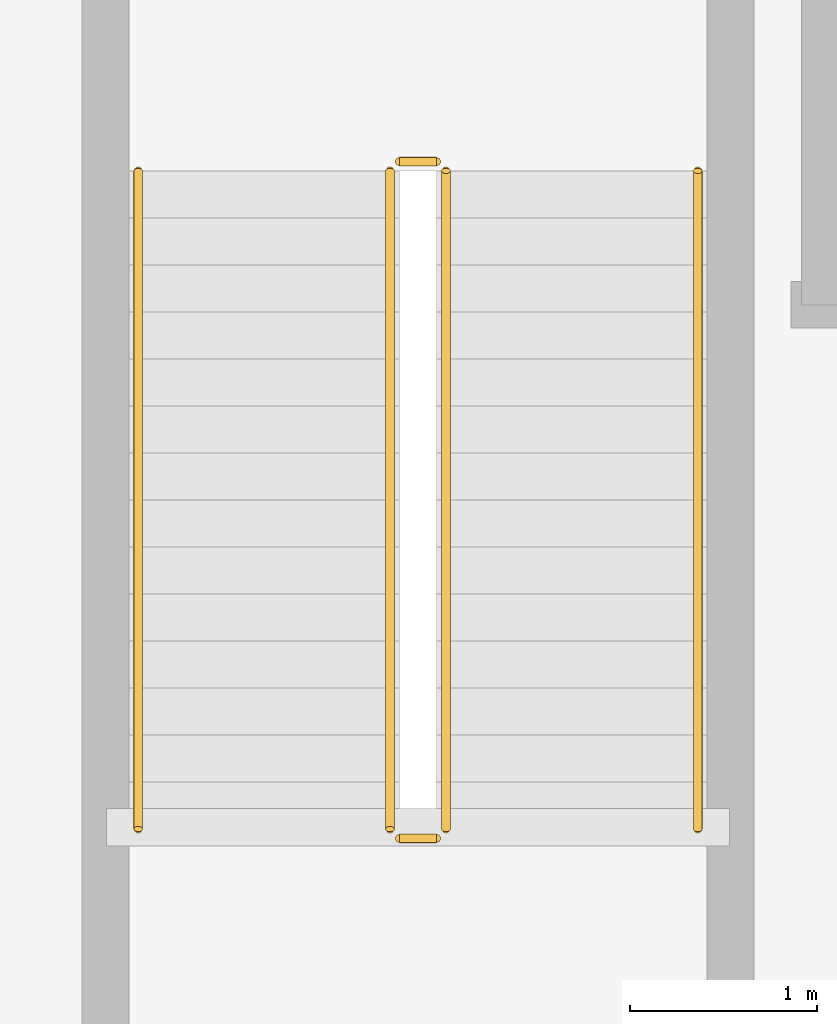
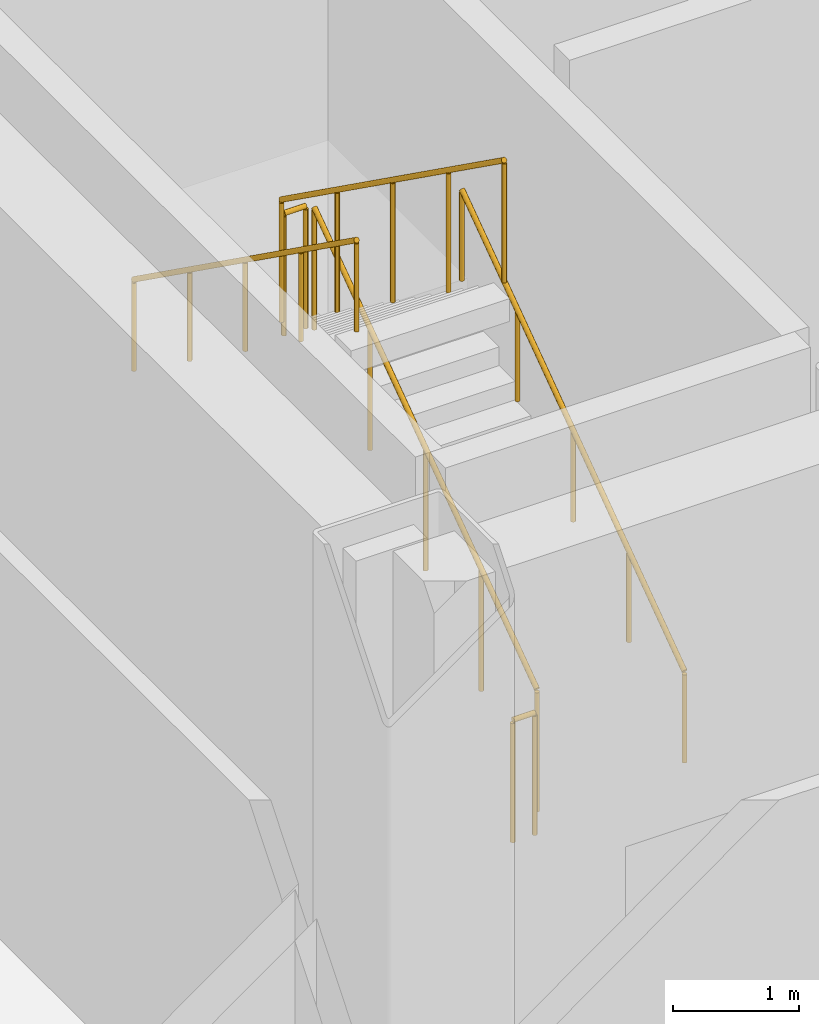
# One storey, part 26 of 30: 6 railings.
"""IFC4 building model written with IfcOpenShell, lengths in metres."""

from ifc_helpers import new_model, si_unit, direction, frame, origin, origin_2d, place, context, subcontext, project, spatial, circle, extrude, material, layer, layer_set, type_object, element, save


model = new_model("IFC4")

# Units and contexts
model_context = context("Model", 3, precision=1e-05, world=origin(), true_north=direction((0.0, 1.0)))
body_context = subcontext(model_context, "Body", "Model", "MODEL_VIEW")
ifc_project = project(units=[si_unit("LENGTHUNIT", "METRE"), si_unit("AREAUNIT", "SQUARE_METRE"), si_unit("VOLUMEUNIT", "CUBIC_METRE"), si_unit("PLANEANGLEUNIT", "RADIAN"), si_unit("MASSUNIT", "GRAM", prefix="KILO")], contexts=[model_context])

# Site, building, storey
site_placement = place(None, origin())
site = spatial("IfcSite", under=ifc_project, at=site_placement, CompositionType="ELEMENT")
building_placement = place(site_placement, origin())
building = spatial("IfcBuilding", under=site, at=building_placement, Name="Noeulbin Bourse Tower", CompositionType="ELEMENT")
storey_placement = place(building_placement, frame((0.0, 0.0, 16.60009765625)))
storey = spatial("IfcBuildingStorey", under=building, at=storey_placement, Name="L04", CompositionType="ELEMENT", Elevation=16.60009765625)

# Railings
ifc_material_1 = material(Name="Painted Tubular Steel S355", Category="steel")
ifc_layer_1 = layer(ifc_material_1, 0.048095703125)
ifc_layer_set_1 = layer_set([ifc_layer_1], Name="Painted Tubular Steel S355")
railing_type_1 = type_object("IfcRailingType", Name="RLG-STR-GRD", PredefinedType="GUARDRAIL", material=ifc_layer_set_1)
railing_1_placement = place(storey_placement, frame((16.25, 31.81005859375, 0.179931640625)))
element("IfcRailing", 1, at=railing_1_placement, inside=storey, type_object=railing_type_1, Name="L04 ST-1 stair guard 1", PredefinedType="GUARDRAIL", context=body_context, shape_type="SweptSolid", body=[
    extrude(circle(Radius=0.02392578125, at=origin_2d()), frame((0.0, 0.0, 1.17578125), z_axis=(0.0, 0.813718251284, 0.581259501021), x_axis=(-1.0, 0.0, 0.0)), (0.0, 0.0, 1.0), 4.33544921875),
    extrude(circle(Radius=0.02099609375, at=origin_2d()), origin(), (0.0, 0.0, 1.0), 1.15185546875),
    extrude(circle(Radius=0.02099609375, at=origin_2d()), frame((0.0, 0.8818359375, 0.6298828125)), (0.0, 0.0, 1.0), 1.15185546875),
    extrude(circle(Radius=0.02099609375, at=origin_2d()), frame((0.0, 1.763916015625, 1.260009765625)), (0.0, 0.0, 1.0), 1.15185546875),
    extrude(circle(Radius=0.02099609375, at=origin_2d()), frame((0.0, 2.64599609375, 1.89013671875)), (0.0, 0.0, 1.0), 1.15185546875),
    extrude(circle(Radius=0.02099609375, at=origin_2d()), frame((0.0, 3.52783203125, 2.52001953125)), (0.0, 0.0, 1.0), 1.15185546875),
])
railing_2_placement = place(storey_placement, frame((16.199951171875, 35.387939453125, 2.699951171875)))
element("IfcRailing", 2, at=railing_2_placement, inside=storey, type_object=railing_type_1, Name="L04 ST-1 stair guard 2", PredefinedType="GUARDRAIL", context=body_context, shape_type="SweptSolid", body=[
    extrude(circle(Radius=0.02392578125, at=origin_2d()), frame((0.0, 0.0, 1.17578125), z_axis=(-1.0, 0.0, 0.0), x_axis=(0.0, -1.0, 0.0)), (0.0, 0.0, 1.0), 0.199951171875),
    extrude(circle(Radius=0.02099609375, at=origin_2d()), origin(), (0.0, 0.0, 1.0), 1.15185546875),
    extrude(circle(Radius=0.02099609375, at=origin_2d()), frame((-0.199951171875, 0.0, 0.0)), (0.0, 0.0, 1.0), 1.15185546875),
])
railing_3_placement = place(storey_placement, frame((15.949951171875, 35.337890625, 2.8798828125)))
element("IfcRailing", 3, at=railing_3_placement, inside=storey, type_object=railing_type_1, Name="L04 ST-1 stair guard 3", PredefinedType="GUARDRAIL", context=body_context, shape_type="SweptSolid", body=[
    extrude(circle(Radius=0.02392578125, at=origin_2d()), frame((0.0, 0.0, 1.17578125), z_axis=(0.0, -0.813718251284, 0.581259501021), x_axis=(1.0, 0.0, 0.0)), (0.0, 0.0, 1.0), 4.33544921875),
    extrude(circle(Radius=0.02099609375, at=origin_2d()), origin(), (0.0, 0.0, 1.0), 1.15185546875),
    extrude(circle(Radius=0.02099609375, at=origin_2d()), frame((0.0, -0.8818359375, 0.6298828125)), (0.0, 0.0, 1.0), 1.15185546875),
    extrude(circle(Radius=0.02099609375, at=origin_2d()), frame((0.0, -1.763916015625, 1.260009765625)), (0.0, 0.0, 1.0), 1.15185546875),
    extrude(circle(Radius=0.02099609375, at=origin_2d()), frame((0.0, -2.64599609375, 1.89013671875)), (0.0, 0.0, 1.0), 1.15185546875),
    extrude(circle(Radius=0.02099609375, at=origin_2d()), frame((0.0, -3.52783203125, 2.52001953125)), (0.0, 0.0, 1.0), 1.15185546875),
])
railing_4_placement = place(storey_placement, frame((16.199951171875, 31.760009765625, 0.0)))
element("IfcRailing", 4, at=railing_4_placement, inside=storey, type_object=railing_type_1, Name="L04 ST-1 stair guard 4", PredefinedType="GUARDRAIL", context=body_context, shape_type="SweptSolid", body=[
    extrude(circle(Radius=0.02392578125, at=origin_2d()), frame((0.0, 0.0, 1.17578125), z_axis=(-1.0, 0.0, 0.0), x_axis=(0.0, -1.0, 0.0)), (0.0, 0.0, 1.0), 0.199951171875),
    extrude(circle(Radius=0.02099609375, at=origin_2d()), origin(), (0.0, 0.0, 1.0), 1.15185546875),
    extrude(circle(Radius=0.02099609375, at=origin_2d()), frame((-0.199951171875, 0.0, 0.0)), (0.0, 0.0, 1.0), 1.15185546875),
])
ifc_material_2 = material(Name="Brushed Stainless Steel 316", Category="steel")
ifc_layer_2 = layer(ifc_material_2, 0.048095703125)
ifc_layer_set_2 = layer_set([ifc_layer_2], Name="Brushed Stainless Steel 316")
railing_type_2 = type_object("IfcRailingType", Name="RLG-STR-HND", PredefinedType="HANDRAIL", material=ifc_layer_set_2)
railing_5_placement = place(storey_placement, frame((17.60009765625, 31.81005859375, 0.179931640625)))
element("IfcRailing", 5, at=railing_5_placement, inside=storey, type_object=railing_type_2, Name="L04 ST-1 stair handrail 1", PredefinedType="HANDRAIL", context=body_context, shape_type="SweptSolid", body=[
    extrude(circle(Radius=0.02392578125, at=origin_2d()), frame((0.0, 0.0, 0.8759765625), z_axis=(0.0, 0.813718251284, 0.581259501021), x_axis=(-1.0, 0.0, 0.0)), (0.0, 0.0, 1.0), 4.33544921875),
    extrude(circle(Radius=0.02099609375, at=origin_2d()), origin(), (0.0, 0.0, 1.0), 0.851806640625),
    extrude(circle(Radius=0.02099609375, at=origin_2d()), frame((0.0, 0.8818359375, 0.6298828125)), (0.0, 0.0, 1.0), 0.851806640625),
    extrude(circle(Radius=0.02099609375, at=origin_2d()), frame((0.0, 1.763916015625, 1.260009765625)), (0.0, 0.0, 1.0), 0.851806640625),
    extrude(circle(Radius=0.02099609375, at=origin_2d()), frame((0.0, 2.64599609375, 1.89013671875)), (0.0, 0.0, 1.0), 0.851806640625),
    extrude(circle(Radius=0.02099609375, at=origin_2d()), frame((0.0, 3.52783203125, 2.52001953125)), (0.0, 0.0, 1.0), 0.851806640625),
])
railing_6_placement = place(storey_placement, frame((14.60009765625, 35.337890625, 2.8798828125)))
element("IfcRailing", 6, at=railing_6_placement, inside=storey, type_object=railing_type_2, Name="L04 ST-1 stair handrail 2", PredefinedType="HANDRAIL", context=body_context, shape_type="SweptSolid", body=[
    extrude(circle(Radius=0.02392578125, at=origin_2d()), frame((0.0, 0.0, 0.8759765625), z_axis=(0.0, -0.813718251284, 0.581259501021), x_axis=(1.0, 0.0, 0.0)), (0.0, 0.0, 1.0), 4.33544921875),
    extrude(circle(Radius=0.02099609375, at=origin_2d()), origin(), (0.0, 0.0, 1.0), 0.851806640625),
    extrude(circle(Radius=0.02099609375, at=origin_2d()), frame((0.0, -0.8818359375, 0.6298828125)), (0.0, 0.0, 1.0), 0.851806640625),
    extrude(circle(Radius=0.02099609375, at=origin_2d()), frame((0.0, -1.763916015625, 1.260009765625)), (0.0, 0.0, 1.0), 0.851806640625),
    extrude(circle(Radius=0.02099609375, at=origin_2d()), frame((0.0, -2.64599609375, 1.89013671875)), (0.0, 0.0, 1.0), 0.851806640625),
    extrude(circle(Radius=0.02099609375, at=origin_2d()), frame((0.0, -3.52783203125, 2.52001953125)), (0.0, 0.0, 1.0), 0.851806640625),
])

save(model, "model.ifc")
